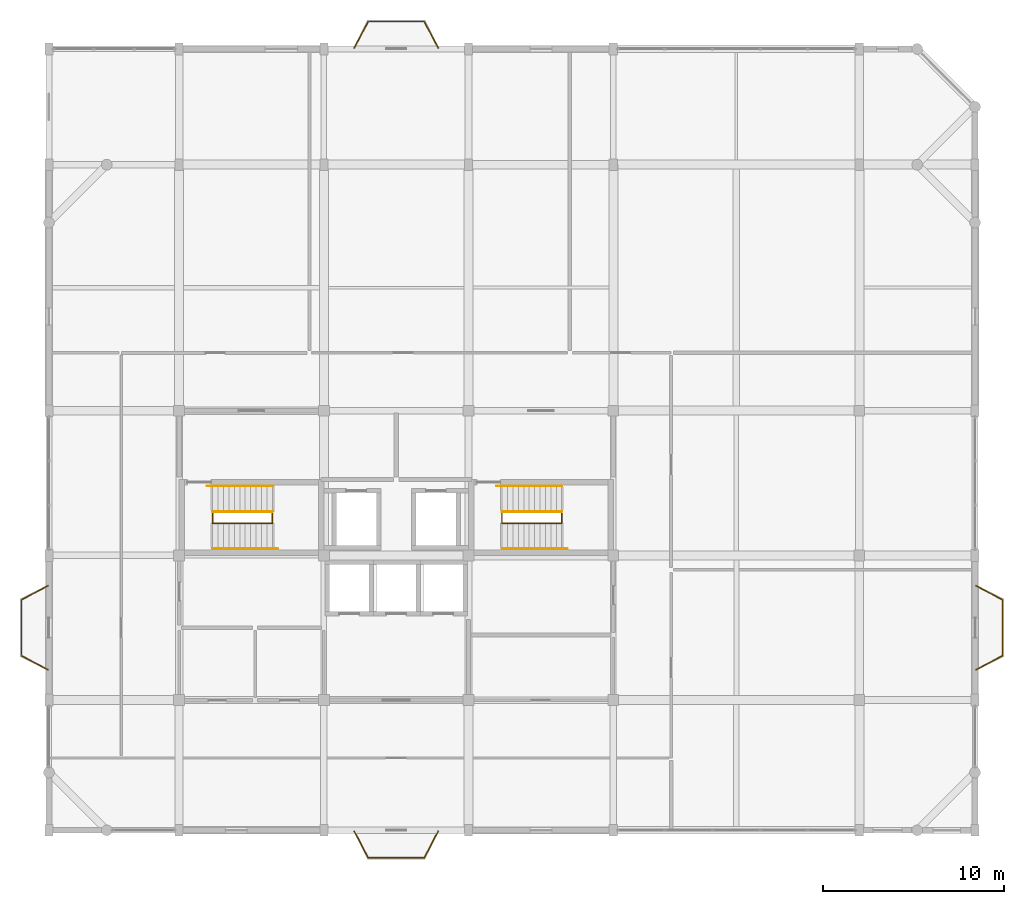
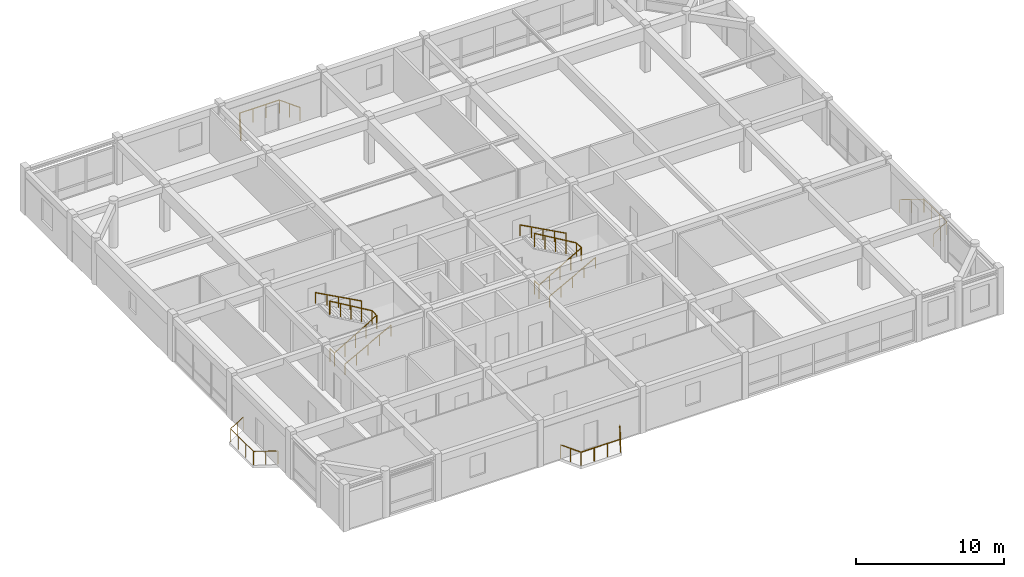
# One storey, part 13 of 13: 12 railings.
"""IFC4 building model written with IfcOpenShell, lengths in metres."""

from ifc_helpers import new_model, si_unit, direction, frame, origin, origin_2d, place, context, subcontext, project, spatial, circle, extrude, material, type_object, element, save


model = new_model("IFC4")

# Units and contexts
model_context = context("Model", 3, precision=1e-05, world=origin(), true_north=direction((0.0, 1.0)))
body_context = subcontext(model_context, "Body", "Model", "MODEL_VIEW")
ifc_project = project(units=[si_unit("LENGTHUNIT", "METRE"), si_unit("AREAUNIT", "SQUARE_METRE"), si_unit("VOLUMEUNIT", "CUBIC_METRE"), si_unit("PLANEANGLEUNIT", "RADIAN"), si_unit("MASSUNIT", "GRAM", prefix="KILO")], contexts=[model_context])

# Site, building, storey
site_placement = place(None, origin())
site = spatial("IfcSite", under=ifc_project, at=site_placement, CompositionType="ELEMENT")
building_placement = place(site_placement, origin())
building = spatial("IfcBuilding", under=site, at=building_placement, Name="Vellmiral Cinema and Media Centre", CompositionType="ELEMENT")
storey_placement = place(building_placement, frame((0.0, 0.0, 54.800048828125)))
storey = spatial("IfcBuildingStorey", under=building, at=storey_placement, Name="L13", CompositionType="ELEMENT", Elevation=54.800048828125)

# Railings
ifc_material_1 = material(Name="Forged Wrought-Iron Mirador Guardrail", Category="steel")
railing_type_1 = type_object("IfcRailingType", Name="RL-BAL-MIRA-1120", PredefinedType="BALUSTRADE", material=ifc_material_1)
railing_1_placement = place(storey_placement, frame((168.050048828125, 80.8798828125, 0.0)))
element("IfcRailing", 1, at=railing_1_placement, inside=storey, type_object=railing_type_1, Name="Mirador Balcony Guardrail L13-E", PredefinedType="BALUSTRADE", context=body_context, shape_type="SweptSolid", body=[
    extrude(circle(Radius=0.02392578125, at=origin_2d()), frame((0.0, 0.0, 1.09619140625), z_axis=(0.885822896277, 0.464023486939, 0.0), x_axis=(-0.464023486939, 0.885822896277, 0.0)), (0.0, 0.0, 1.0), 1.659423828125),
    extrude(circle(Radius=0.02392578125, at=origin_2d()), frame((1.469970703125, 0.77001953125, 1.09619140625), z_axis=(0.0, 1.0, 0.0), x_axis=(-1.0, 0.0, 0.0)), (0.0, 0.0, 1.0), 3.10009765625),
    extrude(circle(Radius=0.02392578125, at=origin_2d()), frame((1.469970703125, 3.8701171875, 1.09619140625), z_axis=(-0.885822896277, 0.464023486939, 0.0), x_axis=(-0.464023486939, -0.885822896277, 0.0)), (0.0, 0.0, 1.0), 1.659423828125),
    extrude(circle(Radius=0.02099609375, at=origin_2d()), origin(), (0.0, 0.0, 1.0), 1.072021484375),
    extrude(circle(Radius=0.02099609375, at=origin_2d()), frame((0.73486328125, 0.385009765625, 0.0)), (0.0, 0.0, 1.0), 1.072021484375),
    extrude(circle(Radius=0.02099609375, at=origin_2d()), frame((1.469970703125, 0.77001953125, 0.0)), (0.0, 0.0, 1.0), 1.072021484375),
    extrude(circle(Radius=0.02099609375, at=origin_2d()), frame((1.469970703125, 1.803466796875, 0.0)), (0.0, 0.0, 1.0), 1.072021484375),
    extrude(circle(Radius=0.02099609375, at=origin_2d()), frame((1.469970703125, 2.836669921875, 0.0)), (0.0, 0.0, 1.0), 1.072021484375),
    extrude(circle(Radius=0.02099609375, at=origin_2d()), frame((1.469970703125, 3.8701171875, 0.0)), (0.0, 0.0, 1.0), 1.072021484375),
    extrude(circle(Radius=0.02099609375, at=origin_2d()), frame((0.73486328125, 4.255126953125, 0.0)), (0.0, 0.0, 1.0), 1.072021484375),
    extrude(circle(Radius=0.02099609375, at=origin_2d()), frame((0.0, 4.64013671875, 0.0)), (0.0, 0.0, 1.0), 1.072021484375),
])
railing_2_placement = place(storey_placement, frame((138.320068359375, 115.25, 0.0)))
element("IfcRailing", 2, at=railing_2_placement, inside=storey, type_object=railing_type_1, Name="Mirador Balcony Guardrail L13-N", PredefinedType="BALUSTRADE", context=body_context, shape_type="SweptSolid", body=[
    extrude(circle(Radius=0.02392578125, at=origin_2d()), frame((0.0, 0.0, 1.09619140625), z_axis=(-0.464023486939, 0.885822896277, 0.0), x_axis=(-0.885822896277, -0.464023486939, 0.0)), (0.0, 0.0, 1.0), 1.659423828125),
    extrude(circle(Radius=0.02392578125, at=origin_2d()), frame((-0.77001953125, 1.469970703125, 1.09619140625), z_axis=(-1.0, 0.0, 0.0), x_axis=(0.0, -1.0, 0.0)), (0.0, 0.0, 1.0), 3.10009765625),
    extrude(circle(Radius=0.02392578125, at=origin_2d()), frame((-3.8701171875, 1.469970703125, 1.09619140625), z_axis=(-0.464023486939, -0.885822896277, 0.0), x_axis=(0.885822896277, -0.464023486939, 0.0)), (0.0, 0.0, 1.0), 1.659423828125),
    extrude(circle(Radius=0.02099609375, at=origin_2d()), origin(), (0.0, 0.0, 1.0), 1.072021484375),
    extrude(circle(Radius=0.02099609375, at=origin_2d()), frame((-0.385009765625, 0.73486328125, 0.0)), (0.0, 0.0, 1.0), 1.072021484375),
    extrude(circle(Radius=0.02099609375, at=origin_2d()), frame((-0.77001953125, 1.469970703125, 0.0)), (0.0, 0.0, 1.0), 1.072021484375),
    extrude(circle(Radius=0.02099609375, at=origin_2d()), frame((-1.803466796875, 1.469970703125, 0.0)), (0.0, 0.0, 1.0), 1.072021484375),
    extrude(circle(Radius=0.02099609375, at=origin_2d()), frame((-2.836669921875, 1.469970703125, 0.0)), (0.0, 0.0, 1.0), 1.072021484375),
    extrude(circle(Radius=0.02099609375, at=origin_2d()), frame((-3.8701171875, 1.469970703125, 0.0)), (0.0, 0.0, 1.0), 1.072021484375),
    extrude(circle(Radius=0.02099609375, at=origin_2d()), frame((-4.255126953125, 0.73486328125, 0.0)), (0.0, 0.0, 1.0), 1.072021484375),
    extrude(circle(Radius=0.02099609375, at=origin_2d()), frame((-4.64013671875, 0.0, 0.0)), (0.0, 0.0, 1.0), 1.072021484375),
])
railing_3_placement = place(storey_placement, frame((116.75, 85.52001953125, 0.0)))
element("IfcRailing", 3, at=railing_3_placement, inside=storey, type_object=railing_type_1, Name="Mirador Balcony Guardrail L13-W", PredefinedType="BALUSTRADE", context=body_context, shape_type="SweptSolid", body=[
    extrude(circle(Radius=0.02392578125, at=origin_2d()), frame((0.0, 0.0, 1.09619140625), z_axis=(-0.885822896277, -0.464023486939, 0.0), x_axis=(0.464023486939, -0.885822896277, 0.0)), (0.0, 0.0, 1.0), 1.659423828125),
    extrude(circle(Radius=0.02392578125, at=origin_2d()), frame((-1.469970703125, -0.77001953125, 1.09619140625), z_axis=(0.0, -1.0, 0.0), x_axis=(1.0, 0.0, 0.0)), (0.0, 0.0, 1.0), 3.10009765625),
    extrude(circle(Radius=0.02392578125, at=origin_2d()), frame((-1.469970703125, -3.8701171875, 1.09619140625), z_axis=(0.885822896277, -0.464023486939, 0.0), x_axis=(0.464023486939, 0.885822896277, 0.0)), (0.0, 0.0, 1.0), 1.659423828125),
    extrude(circle(Radius=0.02099609375, at=origin_2d()), origin(), (0.0, 0.0, 1.0), 1.072021484375),
    extrude(circle(Radius=0.02099609375, at=origin_2d()), frame((-0.73486328125, -0.385009765625, 0.0)), (0.0, 0.0, 1.0), 1.072021484375),
    extrude(circle(Radius=0.02099609375, at=origin_2d()), frame((-1.469970703125, -0.77001953125, 0.0)), (0.0, 0.0, 1.0), 1.072021484375),
    extrude(circle(Radius=0.02099609375, at=origin_2d()), frame((-1.469970703125, -1.803466796875, 0.0)), (0.0, 0.0, 1.0), 1.072021484375),
    extrude(circle(Radius=0.02099609375, at=origin_2d()), frame((-1.469970703125, -2.836669921875, 0.0)), (0.0, 0.0, 1.0), 1.072021484375),
    extrude(circle(Radius=0.02099609375, at=origin_2d()), frame((-1.469970703125, -3.8701171875, 0.0)), (0.0, 0.0, 1.0), 1.072021484375),
    extrude(circle(Radius=0.02099609375, at=origin_2d()), frame((-0.73486328125, -4.255126953125, 0.0)), (0.0, 0.0, 1.0), 1.072021484375),
    extrude(circle(Radius=0.02099609375, at=origin_2d()), frame((0.0, -4.64013671875, 0.0)), (0.0, 0.0, 1.0), 1.072021484375),
])
railing_4_placement = place(storey_placement, frame((133.679931640625, 71.949951171875, 0.0)))
element("IfcRailing", 4, at=railing_4_placement, inside=storey, type_object=railing_type_1, Name="Mirador Balcony Guardrail L13-S", PredefinedType="BALUSTRADE", context=body_context, shape_type="SweptSolid", body=[
    extrude(circle(Radius=0.02392578125, at=origin_2d()), frame((0.0, 0.0, 1.09619140625), z_axis=(0.464023486939, -0.885822896277, 0.0), x_axis=(0.885822896277, 0.464023486939, 0.0)), (0.0, 0.0, 1.0), 1.659423828125),
    extrude(circle(Radius=0.02392578125, at=origin_2d()), frame((0.77001953125, -1.469970703125, 1.09619140625), z_axis=(1.0, 0.0, 0.0), x_axis=(0.0, 1.0, 0.0)), (0.0, 0.0, 1.0), 3.10009765625),
    extrude(circle(Radius=0.02392578125, at=origin_2d()), frame((3.8701171875, -1.469970703125, 1.09619140625), z_axis=(0.464023486939, 0.885822896277, 0.0), x_axis=(-0.885822896277, 0.464023486939, 0.0)), (0.0, 0.0, 1.0), 1.659423828125),
    extrude(circle(Radius=0.02099609375, at=origin_2d()), origin(), (0.0, 0.0, 1.0), 1.072021484375),
    extrude(circle(Radius=0.02099609375, at=origin_2d()), frame((0.385009765625, -0.73486328125, 0.0)), (0.0, 0.0, 1.0), 1.072021484375),
    extrude(circle(Radius=0.02099609375, at=origin_2d()), frame((0.77001953125, -1.469970703125, 0.0)), (0.0, 0.0, 1.0), 1.072021484375),
    extrude(circle(Radius=0.02099609375, at=origin_2d()), frame((1.803466796875, -1.469970703125, 0.0)), (0.0, 0.0, 1.0), 1.072021484375),
    extrude(circle(Radius=0.02099609375, at=origin_2d()), frame((2.836669921875, -1.469970703125, 0.0)), (0.0, 0.0, 1.0), 1.072021484375),
    extrude(circle(Radius=0.02099609375, at=origin_2d()), frame((3.8701171875, -1.469970703125, 0.0)), (0.0, 0.0, 1.0), 1.072021484375),
    extrude(circle(Radius=0.02099609375, at=origin_2d()), frame((4.255126953125, -0.73486328125, 0.0)), (0.0, 0.0, 1.0), 1.072021484375),
    extrude(circle(Radius=0.02099609375, at=origin_2d()), frame((4.64013671875, 0.0, 0.0)), (0.0, 0.0, 1.0), 1.072021484375),
])
ifc_material_2 = material(Name="Brushed Stainless Steel Handrail", Category="steel")
railing_type_2 = type_object("IfcRailingType", Name="RL-HANDRAIL-900", PredefinedType="HANDRAIL", material=ifc_material_2)
railing_5_placement = place(storey_placement, frame((125.85009765625, 87.56005859375, 0.162353515625)))
element("IfcRailing", 5, at=railing_5_placement, inside=storey, type_object=railing_type_2, Name="Stair Wall Handrail ST-T1 L13-1", PredefinedType="HANDRAIL", context=body_context, shape_type="SweptSolid", body=[
    extrude(circle(Radius=0.02392578125, at=origin_2d()), frame((0.0, 0.0, 0.8759765625), z_axis=(0.879263870249, 0.0, 0.476335014958), x_axis=(0.0, 1.0, 0.0)), (0.0, 0.0, 1.0), 4.09423828125),
    extrude(circle(Radius=0.02099609375, at=origin_2d()), origin(), (0.0, 0.0, 1.0), 0.851806640625),
    extrude(circle(Radius=0.02099609375, at=origin_2d()), frame((0.89990234375, 0.0, 0.487548828125)), (0.0, 0.0, 1.0), 0.851806640625),
    extrude(circle(Radius=0.02099609375, at=origin_2d()), frame((1.7998046875, 0.0, 0.97509765625)), (0.0, 0.0, 1.0), 0.851806640625),
    extrude(circle(Radius=0.02099609375, at=origin_2d()), frame((2.699951171875, 0.0, 1.462646484375)), (0.0, 0.0, 1.0), 0.851806640625),
    extrude(circle(Radius=0.02099609375, at=origin_2d()), frame((3.599853515625, 0.0, 1.9501953125)), (0.0, 0.0, 1.0), 0.851806640625),
])
railing_6_placement = place(storey_placement, frame((129.14990234375, 91.0400390625, 2.112548828125)))
element("IfcRailing", 6, at=railing_6_placement, inside=storey, type_object=railing_type_2, Name="Stair Wall Handrail ST-T1 L13-2", PredefinedType="HANDRAIL", context=body_context, shape_type="SweptSolid", body=[
    extrude(circle(Radius=0.02392578125, at=origin_2d()), frame((0.0, 0.0, 0.8759765625), z_axis=(-0.879288844789, 0.0, 0.476288911721), x_axis=(0.0, -1.0, 0.0)), (0.0, 0.0, 1.0), 4.093994140625),
    extrude(circle(Radius=0.02099609375, at=origin_2d()), origin(), (0.0, 0.0, 1.0), 0.851806640625),
    extrude(circle(Radius=0.02099609375, at=origin_2d()), frame((-0.89990234375, 0.0, 0.487548828125)), (0.0, 0.0, 1.0), 0.851806640625),
    extrude(circle(Radius=0.02099609375, at=origin_2d()), frame((-1.7998046875, 0.0, 0.97509765625)), (0.0, 0.0, 1.0), 0.851806640625),
    extrude(circle(Radius=0.02099609375, at=origin_2d()), frame((-2.699951171875, 0.0, 1.46240234375)), (0.0, 0.0, 1.0), 0.851806640625),
    extrude(circle(Radius=0.02099609375, at=origin_2d()), frame((-3.599853515625, 0.0, 1.949951171875)), (0.0, 0.0, 1.0), 0.851806640625),
])
railing_7_placement = place(storey_placement, frame((141.85009765625, 87.56005859375, 0.162353515625)))
element("IfcRailing", 7, at=railing_7_placement, inside=storey, type_object=railing_type_2, Name="Stair Wall Handrail ST-T2 L13-1", PredefinedType="HANDRAIL", context=body_context, shape_type="SweptSolid", body=[
    extrude(circle(Radius=0.02392578125, at=origin_2d()), frame((0.0, 0.0, 0.8759765625), z_axis=(0.879263870249, 0.0, 0.476335014958), x_axis=(0.0, 1.0, 0.0)), (0.0, 0.0, 1.0), 4.09423828125),
    extrude(circle(Radius=0.02099609375, at=origin_2d()), origin(), (0.0, 0.0, 1.0), 0.851806640625),
    extrude(circle(Radius=0.02099609375, at=origin_2d()), frame((0.89990234375, 0.0, 0.487548828125)), (0.0, 0.0, 1.0), 0.851806640625),
    extrude(circle(Radius=0.02099609375, at=origin_2d()), frame((1.7998046875, 0.0, 0.97509765625)), (0.0, 0.0, 1.0), 0.851806640625),
    extrude(circle(Radius=0.02099609375, at=origin_2d()), frame((2.699951171875, 0.0, 1.462646484375)), (0.0, 0.0, 1.0), 0.851806640625),
    extrude(circle(Radius=0.02099609375, at=origin_2d()), frame((3.599853515625, 0.0, 1.9501953125)), (0.0, 0.0, 1.0), 0.851806640625),
])
railing_8_placement = place(storey_placement, frame((145.14990234375, 91.0400390625, 2.112548828125)))
element("IfcRailing", 8, at=railing_8_placement, inside=storey, type_object=railing_type_2, Name="Stair Wall Handrail ST-T2 L13-2", PredefinedType="HANDRAIL", context=body_context, shape_type="SweptSolid", body=[
    extrude(circle(Radius=0.02392578125, at=origin_2d()), frame((0.0, 0.0, 0.8759765625), z_axis=(-0.879288844789, 0.0, 0.476288911721), x_axis=(0.0, -1.0, 0.0)), (0.0, 0.0, 1.0), 4.093994140625),
    extrude(circle(Radius=0.02099609375, at=origin_2d()), origin(), (0.0, 0.0, 1.0), 0.851806640625),
    extrude(circle(Radius=0.02099609375, at=origin_2d()), frame((-0.89990234375, 0.0, 0.487548828125)), (0.0, 0.0, 1.0), 0.851806640625),
    extrude(circle(Radius=0.02099609375, at=origin_2d()), frame((-1.7998046875, 0.0, 0.97509765625)), (0.0, 0.0, 1.0), 0.851806640625),
    extrude(circle(Radius=0.02099609375, at=origin_2d()), frame((-2.699951171875, 0.0, 1.46240234375)), (0.0, 0.0, 1.0), 0.851806640625),
    extrude(circle(Radius=0.02099609375, at=origin_2d()), frame((-3.599853515625, 0.0, 1.949951171875)), (0.0, 0.0, 1.0), 0.851806640625),
])
ifc_material_3 = material(Name="Painted Steel Stair Guardrail", Category="steel")
railing_type_3 = type_object("IfcRailingType", Name="RL-STAIR-GUARD-1120", PredefinedType="GUARDRAIL", material=ifc_material_3)
railing_9_placement = place(storey_placement, frame((125.85009765625, 89.580078125, 0.0)))
element("IfcRailing", 9, at=railing_9_placement, inside=storey, type_object=railing_type_3, Name="Stair Well Guard ST-T1 L13-A", PredefinedType="GUARDRAIL", context=body_context, shape_type="SweptSolid", body=[
    extrude(circle(Radius=0.02392578125, at=origin_2d()), frame((0.0, 0.0, 1.09619140625), z_axis=(0.0, -1.0, 0.0), x_axis=(1.0, 0.0, 0.0)), (0.0, 0.0, 1.0), 0.60009765625),
    extrude(circle(Radius=0.02392578125, at=origin_2d()), frame((0.0, -0.60009765625, 1.09619140625), z_axis=(0.86091891968, 0.0, 0.508742187887), x_axis=(0.0, 1.0, 0.0)), (0.0, 0.0, 1.0), 3.8330078125),
    extrude(circle(Radius=0.02392578125, at=origin_2d()), frame((3.2998046875, -0.60009765625, 3.0458984375), z_axis=(0.0, 1.0, 0.0), x_axis=(-1.0, 0.0, 0.0)), (0.0, 0.0, 1.0), 0.64013671875),
    extrude(circle(Radius=0.02099609375, at=origin_2d()), origin(), (0.0, 0.0, 1.0), 1.072021484375),
    extrude(circle(Radius=0.02099609375, at=origin_2d()), frame((0.0, -0.60009765625, 0.0)), (0.0, 0.0, 1.0), 1.072021484375),
    extrude(circle(Radius=0.02099609375, at=origin_2d()), frame((0.824951171875, -0.60009765625, 0.487548828125)), (0.0, 0.0, 1.0), 1.072021484375),
    extrude(circle(Radius=0.02099609375, at=origin_2d()), frame((1.64990234375, -0.60009765625, 0.97509765625)), (0.0, 0.0, 1.0), 1.072021484375),
    extrude(circle(Radius=0.02099609375, at=origin_2d()), frame((2.474853515625, -0.60009765625, 1.46240234375)), (0.0, 0.0, 1.0), 1.072021484375),
    extrude(circle(Radius=0.02099609375, at=origin_2d()), frame((3.2998046875, -0.60009765625, 1.949951171875)), (0.0, 0.0, 1.0), 1.072021484375),
    extrude(circle(Radius=0.02099609375, at=origin_2d()), frame((3.2998046875, 0.0400390625, 1.949951171875)), (0.0, 0.0, 1.0), 1.072021484375),
])
railing_10_placement = place(storey_placement, frame((129.14990234375, 89.6201171875, 1.949951171875)))
element("IfcRailing", 10, at=railing_10_placement, inside=storey, type_object=railing_type_3, Name="Stair Well Guard ST-T1 L13-B", PredefinedType="GUARDRAIL", context=body_context, shape_type="SweptSolid", body=[
    extrude(circle(Radius=0.02392578125, at=origin_2d()), frame((0.0, 0.0, 1.09619140625), z_axis=(-0.86091891968, 0.0, 0.508742187887), x_axis=(0.0, -1.0, 0.0)), (0.0, 0.0, 1.0), 3.8330078125),
    extrude(circle(Radius=0.02099609375, at=origin_2d()), origin(), (0.0, 0.0, 1.0), 1.072021484375),
    extrude(circle(Radius=0.02099609375, at=origin_2d()), frame((-0.824951171875, 0.0, 0.487548828125)), (0.0, 0.0, 1.0), 1.072021484375),
    extrude(circle(Radius=0.02099609375, at=origin_2d()), frame((-1.64990234375, 0.0, 0.97509765625)), (0.0, 0.0, 1.0), 1.072021484375),
    extrude(circle(Radius=0.02099609375, at=origin_2d()), frame((-2.474853515625, 0.0, 1.46240234375)), (0.0, 0.0, 1.0), 1.072021484375),
    extrude(circle(Radius=0.02099609375, at=origin_2d()), frame((-3.2998046875, 0.0, 1.949951171875)), (0.0, 0.0, 1.0), 1.072021484375),
])
railing_11_placement = place(storey_placement, frame((141.85009765625, 89.580078125, 0.0)))
element("IfcRailing", 11, at=railing_11_placement, inside=storey, type_object=railing_type_3, Name="Stair Well Guard ST-T2 L13-A", PredefinedType="GUARDRAIL", context=body_context, shape_type="SweptSolid", body=[
    extrude(circle(Radius=0.02392578125, at=origin_2d()), frame((0.0, 0.0, 1.09619140625), z_axis=(0.0, -1.0, 0.0), x_axis=(1.0, 0.0, 0.0)), (0.0, 0.0, 1.0), 0.60009765625),
    extrude(circle(Radius=0.02392578125, at=origin_2d()), frame((0.0, -0.60009765625, 1.09619140625), z_axis=(0.86091891968, 0.0, 0.508742187887), x_axis=(0.0, 1.0, 0.0)), (0.0, 0.0, 1.0), 3.8330078125),
    extrude(circle(Radius=0.02392578125, at=origin_2d()), frame((3.2998046875, -0.60009765625, 3.0458984375), z_axis=(0.0, 1.0, 0.0), x_axis=(-1.0, 0.0, 0.0)), (0.0, 0.0, 1.0), 0.64013671875),
    extrude(circle(Radius=0.02099609375, at=origin_2d()), origin(), (0.0, 0.0, 1.0), 1.072021484375),
    extrude(circle(Radius=0.02099609375, at=origin_2d()), frame((0.0, -0.60009765625, 0.0)), (0.0, 0.0, 1.0), 1.072021484375),
    extrude(circle(Radius=0.02099609375, at=origin_2d()), frame((0.824951171875, -0.60009765625, 0.487548828125)), (0.0, 0.0, 1.0), 1.072021484375),
    extrude(circle(Radius=0.02099609375, at=origin_2d()), frame((1.64990234375, -0.60009765625, 0.97509765625)), (0.0, 0.0, 1.0), 1.072021484375),
    extrude(circle(Radius=0.02099609375, at=origin_2d()), frame((2.474853515625, -0.60009765625, 1.46240234375)), (0.0, 0.0, 1.0), 1.072021484375),
    extrude(circle(Radius=0.02099609375, at=origin_2d()), frame((3.2998046875, -0.60009765625, 1.949951171875)), (0.0, 0.0, 1.0), 1.072021484375),
    extrude(circle(Radius=0.02099609375, at=origin_2d()), frame((3.2998046875, 0.0400390625, 1.949951171875)), (0.0, 0.0, 1.0), 1.072021484375),
])
railing_12_placement = place(storey_placement, frame((145.14990234375, 89.6201171875, 1.949951171875)))
element("IfcRailing", 12, at=railing_12_placement, inside=storey, type_object=railing_type_3, Name="Stair Well Guard ST-T2 L13-B", PredefinedType="GUARDRAIL", context=body_context, shape_type="SweptSolid", body=[
    extrude(circle(Radius=0.02392578125, at=origin_2d()), frame((0.0, 0.0, 1.09619140625), z_axis=(-0.86091891968, 0.0, 0.508742187887), x_axis=(0.0, -1.0, 0.0)), (0.0, 0.0, 1.0), 3.8330078125),
    extrude(circle(Radius=0.02099609375, at=origin_2d()), origin(), (0.0, 0.0, 1.0), 1.072021484375),
    extrude(circle(Radius=0.02099609375, at=origin_2d()), frame((-0.824951171875, 0.0, 0.487548828125)), (0.0, 0.0, 1.0), 1.072021484375),
    extrude(circle(Radius=0.02099609375, at=origin_2d()), frame((-1.64990234375, 0.0, 0.97509765625)), (0.0, 0.0, 1.0), 1.072021484375),
    extrude(circle(Radius=0.02099609375, at=origin_2d()), frame((-2.474853515625, 0.0, 1.46240234375)), (0.0, 0.0, 1.0), 1.072021484375),
    extrude(circle(Radius=0.02099609375, at=origin_2d()), frame((-3.2998046875, 0.0, 1.949951171875)), (0.0, 0.0, 1.0), 1.072021484375),
])

save(model, "model.ifc")
